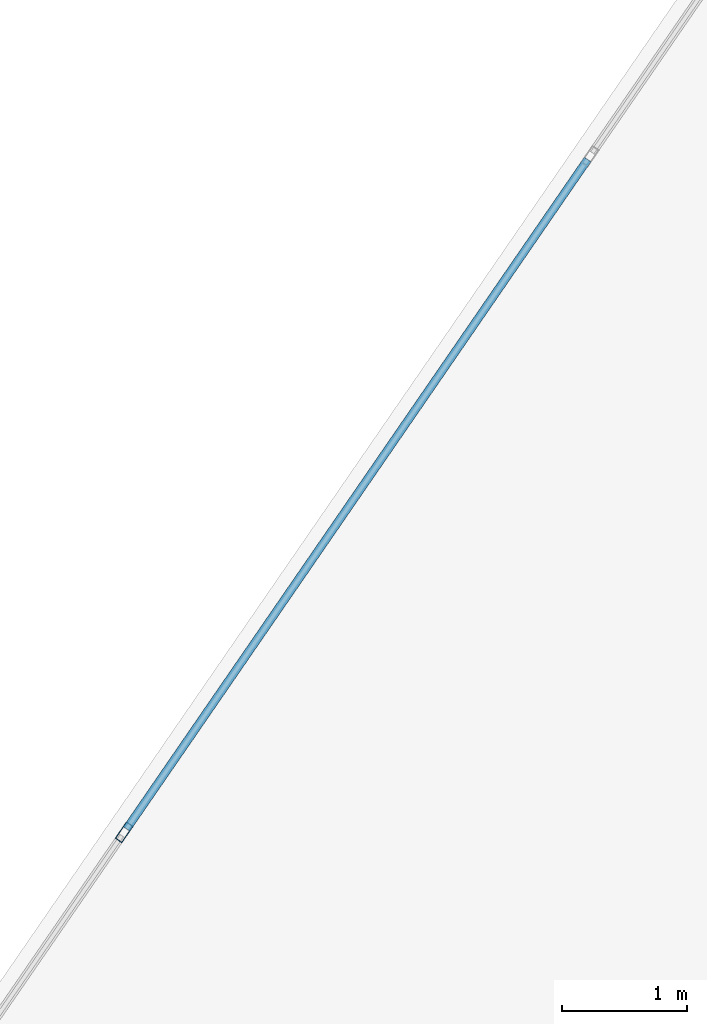
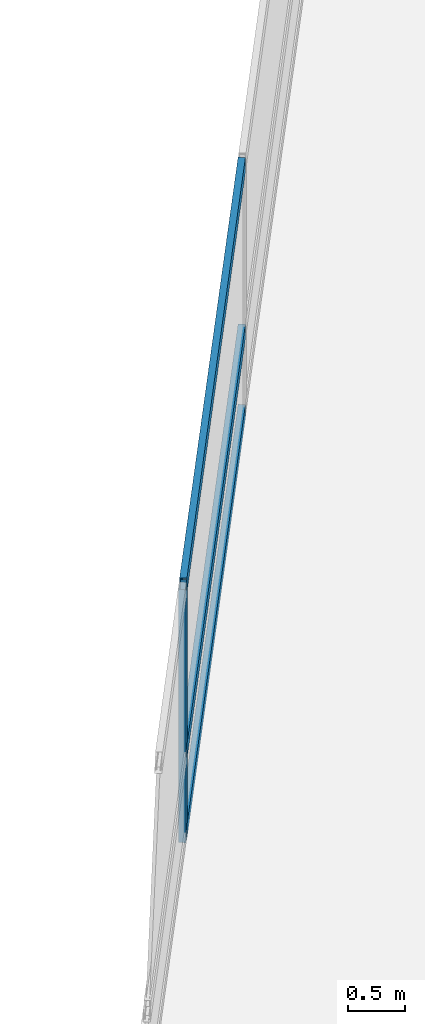
# One storey, part 13 of 25: 4 members, 1 element without a shape of its own.
"""IFC4 building model written with IfcOpenShell, lengths in metres."""

from ifc_helpers import new_model, si_unit, direction, frame, origin, origin_2d, place, context, subcontext, project, spatial, hollow_rectangle, extrude, material, layer, layer_set, material_profile, profile_set, type_object, element, aggregate, save


model = new_model("IFC4")

# Units and contexts
model_context = context("Model", 3, precision=1e-05, world=origin(), true_north=direction((0.0, 1.0)))
body_context = subcontext(model_context, "Body", "Model", "MODEL_VIEW")
ifc_project = project(units=[si_unit("LENGTHUNIT", "METRE"), si_unit("AREAUNIT", "SQUARE_METRE"), si_unit("VOLUMEUNIT", "CUBIC_METRE"), si_unit("PLANEANGLEUNIT", "RADIAN"), si_unit("MASSUNIT", "GRAM", prefix="KILO")], contexts=[model_context])

# Site, building, storey
site_placement = place(None, origin())
site = spatial("IfcSite", under=ifc_project, at=site_placement, CompositionType="ELEMENT")
building_placement = place(site_placement, origin())
building = spatial("IfcBuilding", under=site, at=building_placement, Name="Varnelok Gate Tower", CompositionType="ELEMENT")
storey_placement = place(building_placement, frame((0.0, 0.0, 49.199951171875)))
storey = spatial("IfcBuildingStorey", under=building, at=storey_placement, Name="L11", CompositionType="ELEMENT", Elevation=49.199951171875)

# Curtain wall, members
ifc_material = material(Name="Anodized Aluminum Alloy 6063-T6", Category="aluminium")
ifc_layer = layer(ifc_material, 0.179931640625)
ifc_layer_set = layer_set([ifc_layer], Name="Anodized Aluminum Alloy 6063-T6")
curtain_wall_type = type_object("IfcCurtainWallType", Name="CW3-HOTEL-VISION", PredefinedType="USERDEFINED", material=ifc_layer_set)
curtain_wall_placement = place(storey_placement, origin())
curtain_wall = element("IfcCurtainWall", 1, at=curtain_wall_placement, inside=storey, type_object=curtain_wall_type, Name="L11 West End Vision Curtain Wall", ObjectType="UNITISED CURTAIN WALL", PredefinedType="USERDEFINED")
ifc_material_profile_1 = material_profile(ifc_material, hollow_rectangle(XDim=0.06494140625, YDim=0.159912109375, WallThickness=0.00390625, at=origin_2d()), Name="ALU160X65X4")
ifc_profile_set_1 = profile_set([ifc_material_profile_1], Name="Anodized Aluminum Alloy 6063-T6")
member_type_1 = type_object("IfcMemberType", Name="CW-MULL-160", PredefinedType="MULLION", material=ifc_profile_set_1)
member_1_placement = place(storey_placement, frame((10.7578125, 52.865478515625, 0.0), z_axis=(0.0, 0.0, 1.0), x_axis=(-0.823532685111, 0.567268822124, 0.0)))
member_1 = element("IfcMember", 2, at=member_1_placement, type_object=member_type_1, Name="CW3 mullion 5", PredefinedType="MULLION", context=body_context, shape_type="SweptSolid", body=[
    extrude(hollow_rectangle(XDim=0.06494140625, YDim=0.159912109375, WallThickness=0.00390625, at=origin_2d()), origin(), (0.0, 0.0, 1.0), 2.72998046875),
])
ifc_material_profile_2 = material_profile(ifc_material, hollow_rectangle(XDim=0.06494140625, YDim=0.159912109375, WallThickness=0.00390625, at=origin_2d()), Name="ALU160X65X4")
ifc_profile_set_2 = profile_set([ifc_material_profile_2], Name="Anodized Aluminum Alloy 6063-T6")
member_type_2 = type_object("IfcMemberType", Name="CW-TRAN-160", PredefinedType="USERDEFINED", material=ifc_profile_set_2)
member_2_placement = place(storey_placement, frame((10.7763671875, 52.89208984375, 0.032470703125), z_axis=(0.567261662339, 0.823537616894, 0.0), x_axis=(-0.823537616894, 0.567261662339, 0.0)))
member_2 = element("IfcMember", 3, at=member_2_placement, type_object=member_type_2, Name="CW3 transom 5.1", ObjectType="TRANSOM", PredefinedType="USERDEFINED", context=body_context, shape_type="SweptSolid", body=[
    extrude(hollow_rectangle(XDim=0.06494140625, YDim=0.159912109375, WallThickness=0.00390625, at=origin_2d()), origin(), (0.0, 0.0, 1.0), 6.501708984375),
])
member_3_placement = place(storey_placement, frame((10.7763671875, 52.89208984375, 0.900146484375), z_axis=(0.567261662339, 0.823537616894, 0.0), x_axis=(-0.823537616894, 0.567261662339, 0.0)))
member_3 = element("IfcMember", 4, at=member_3_placement, type_object=member_type_2, Name="CW3 transom 5.2", ObjectType="TRANSOM", PredefinedType="USERDEFINED", context=body_context, shape_type="SweptSolid", body=[
    extrude(hollow_rectangle(XDim=0.06494140625, YDim=0.159912109375, WallThickness=0.00390625, at=origin_2d()), origin(), (0.0, 0.0, 1.0), 6.501708984375),
])
member_4_placement = place(storey_placement, frame((10.7763671875, 52.89208984375, 2.697509765625), z_axis=(0.567261662339, 0.823537616894, 0.0), x_axis=(-0.823537616894, 0.567261662339, 0.0)))
member_4 = element("IfcMember", 5, at=member_4_placement, type_object=member_type_2, Name="CW3 transom 5.3", ObjectType="TRANSOM", PredefinedType="USERDEFINED", context=body_context, shape_type="SweptSolid", body=[
    extrude(hollow_rectangle(XDim=0.06494140625, YDim=0.159912109375, WallThickness=0.00390625, at=origin_2d()), origin(), (0.0, 0.0, 1.0), 6.501708984375),
])
aggregate(curtain_wall, [member_1, member_2, member_3, member_4])

save(model, "model.ifc")
